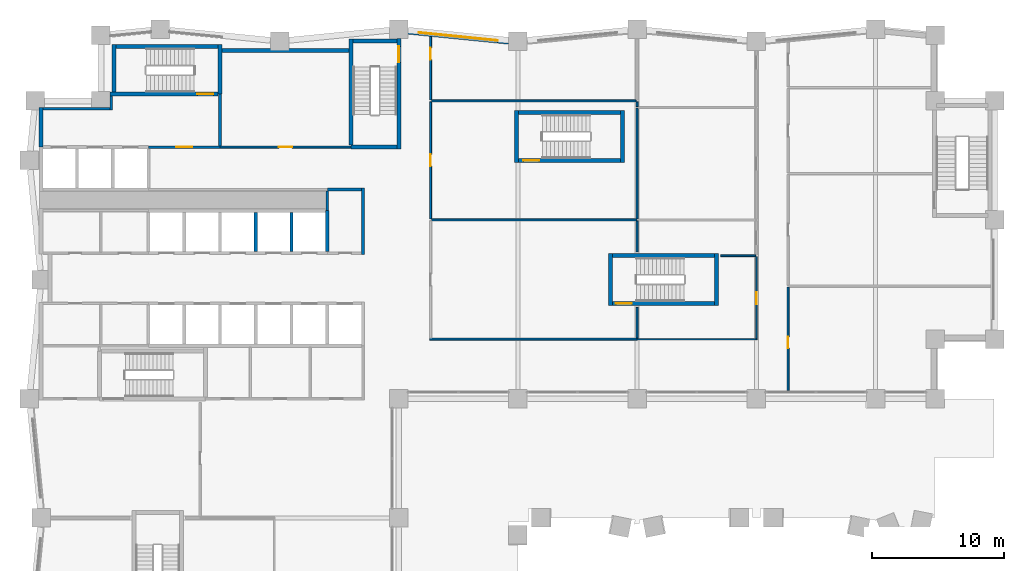
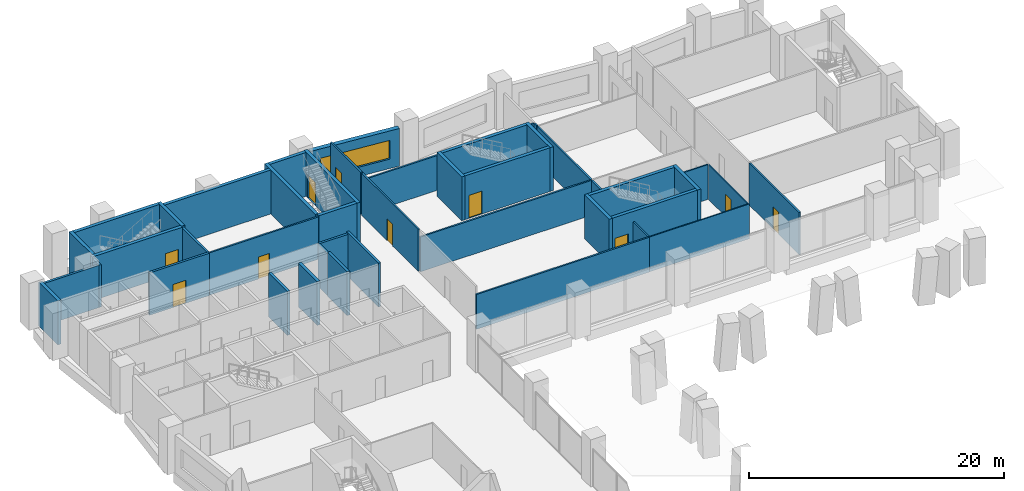
# One storey, part 12 of 18: 43 walls, 10 doors, 1 window, 11 openings.
"""IFC4 building model written with IfcOpenShell, lengths in metres."""

from ifc_helpers import new_model, si_unit, direction, frame, frame_2d, origin, place, context, subcontext, project, spatial, rectangle, extrude, material, layer, layer_set, type_object, element, fill, save


model = new_model("IFC4")

# Units and contexts
model_context = context("Model", 3, precision=1e-05, world=origin(), true_north=direction((0.0, 1.0)))
body_context = subcontext(model_context, "Body", "Model", "MODEL_VIEW")
ifc_project = project(units=[si_unit("LENGTHUNIT", "METRE"), si_unit("AREAUNIT", "SQUARE_METRE"), si_unit("VOLUMEUNIT", "CUBIC_METRE"), si_unit("PLANEANGLEUNIT", "RADIAN"), si_unit("MASSUNIT", "GRAM", prefix="KILO")], contexts=[model_context])

# Site, building, storey
site_placement = place(None, origin())
site = spatial("IfcSite", under=ifc_project, at=site_placement, CompositionType="ELEMENT")
building_placement = place(site_placement, origin())
building = spatial("IfcBuilding", under=site, at=building_placement, Name="Brondeck Convention Tower", CompositionType="ELEMENT")
storey_placement = place(building_placement, frame((0.0, 0.0, 27.5)))
storey = spatial("IfcBuildingStorey", under=building, at=storey_placement, Name="L04", CompositionType="ELEMENT", Elevation=27.5)

# Walls
ifc_material_1 = material(Name="Concrete C80/95", Category="concrete")
ifc_layer_1 = layer(ifc_material_1, 0.199951171875)
ifc_layer_set_1 = layer_set([ifc_layer_1], Name="Core beam-seat wall 200 Concrete C80/95")
wall_type_1 = type_object("IfcWallType", Name="Core beam-seat wall 200 Concrete C80/95", PredefinedType="SHEAR", material=ifc_layer_set_1)
wall_1_placement = place(storey_placement, frame((24.300048828125, 46.89990234375, 0.0), z_axis=(0.0, 0.0, 1.0), x_axis=(0.0, 1.0, 0.0)))
element("IfcWall", 1, at=wall_1_placement, inside=storey, type_object=wall_type_1, Name="L04 core wall", PredefinedType="SHEAR", context=body_context, shape_type="SweptSolid", body=[
    extrude(rectangle(XDim=5.0, YDim=0.199951171875, at=frame_2d((2.5, 0.0))), origin(), (0.0, 0.0, 1.0), 4.199951171875),
])
ifc_layer_2 = layer(ifc_material_1, 0.300048828125)
ifc_layer_set_2 = layer_set([ifc_layer_2], Name="Core outer wall 300 Concrete C80/95")
wall_type_2 = type_object("IfcWallType", Name="Core outer wall 300 Concrete C80/95", PredefinedType="SHEAR", material=ifc_layer_set_2)
wall_2_placement = place(storey_placement, frame((13.64990234375, 62.300048828125, 0.0), z_axis=(0.0, 0.0, 1.0), x_axis=(1.0, 0.0, 0.0)))
element("IfcWall", 2, at=wall_2_placement, inside=storey, type_object=wall_type_2, Name="L04 core wall", PredefinedType="SHEAR", context=body_context, shape_type="SweptSolid", body=[
    extrude(rectangle(XDim=9.60009765625, YDim=0.300048828125, at=frame_2d((4.800048828125, 0.0))), origin(), (0.0, 0.0, 1.0), 4.199951171875),
])
wall_3_placement = place(storey_placement, frame((0.0, 55.0, 0.0), z_axis=(0.0, 0.0, 1.0), x_axis=(0.0, 1.0, 0.0)))
element("IfcWall", 3, at=wall_3_placement, inside=storey, type_object=wall_type_2, Name="L04 core wall", PredefinedType="SHEAR", context=body_context, shape_type="SweptSolid", body=[
    extrude(rectangle(XDim=3.0, YDim=0.300048828125, at=frame_2d((1.5, 0.0))), origin(), (0.0, 0.0, 1.0), 4.199951171875),
])

# Wall, opening, door
ifc_material_2 = material(Name="Fire-rated gypsum board partition")
ifc_layer_3 = layer(ifc_material_2, 0.14990234375)
ifc_layer_set_3 = layer_set([ifc_layer_3], Name="Core partition 150 EI 60")
wall_type_3 = type_object("IfcWallType", Name="Core partition 150 EI 60", PredefinedType="PARTITIONING", material=ifc_layer_set_3)
wall_4_placement = place(storey_placement, frame((13.5, 55.0, 0.0), z_axis=(0.0, 0.0, 1.0), x_axis=(1.0, 0.0, 0.0)))
wall_4 = element("IfcWall", 4, at=wall_4_placement, inside=storey, type_object=wall_type_3, Name="L04 core wall", PredefinedType="PARTITIONING", context=body_context, shape_type="SweptSolid", body=[
    extrude(rectangle(XDim=9.89990234375, YDim=0.14990234375, at=frame_2d((4.949951171875, 0.0))), origin(), (0.0, 0.0, 1.0), 4.050048828125),
])
opening_1_placement = place(wall_4_placement, frame((4.449951171875, 0.0, 0.0)))
opening_1 = element("IfcOpeningElement", 5, at=opening_1_placement, cuts=wall_4, Name="Opening C06-11", PredefinedType="OPENING", context=body_context, shape_type="SweptSolid", body=[
    extrude(rectangle(XDim=1.0, YDim=2.10009765625, at=frame_2d((0.5, 1.050048828125))), frame((0.0, 0.0849609375, 0.0), z_axis=(0.0, -1.0, 0.0), x_axis=(1.0, 0.0, 0.0)), (0.0, 0.0, 1.0), 0.169921875),
])
ifc_material_3 = material(Name="Steel fire door", Category="steel")
door_type_1 = type_object("IfcDoorType", Name="Room door 1000x2100 EI 60", OperationType="NOTDEFINED", PredefinedType="DOOR", material=ifc_material_3)
door_1_placement = place(opening_1_placement, origin())
door_1 = element("IfcDoor", 6, at=door_1_placement, inside=storey, type_object=door_type_1, Name="L04 Room door NE-1", OperationType="SINGLE_SWING_LEFT", OverallHeight=2.10009765625, OverallWidth=1.0, PredefinedType="DOOR", context=body_context, shape_type="SweptSolid", body=[
    extrude(rectangle(XDim=1.0, YDim=2.10009765625, at=frame_2d((0.5, 1.050048828125))), frame((0.0, 0.02490234375, 0.0), z_axis=(0.0, -1.0, 0.0), x_axis=(1.0, 0.0, 0.0)), (0.0, 0.0, 1.0), 0.050048828125),
])
fill(opening_1, door_1)

# Wall, opening, window
ifc_material_4 = material(Name="Limestone", Category="masonry")
ifc_layer_4 = layer(ifc_material_4, 0.10009765625, Name="Limestone facing")
ifc_material_5 = material(Name="Mineral wool")
ifc_layer_5 = layer(ifc_material_5, 0.159912109375, Name="Insulation")
ifc_material_6 = material(Name="Concrete C35/45", Category="concrete")
ifc_layer_6 = layer(ifc_material_6, 0.139892578125, Name="Backing")
ifc_layer_set_4 = layer_set([ifc_layer_4, ifc_layer_5, ifc_layer_6], Name="External wall, limestone cladding")
wall_type_4 = type_object("IfcWallType", Name="External wall, limestone cladding", PredefinedType="SOLIDWALL", material=ifc_layer_set_4)
wall_5_placement = place(storey_placement, frame((27.6865234375, 63.730712890625, 0.0), z_axis=(0.0, 0.0, 1.0), x_axis=(0.995039719416, -0.099478423711, 0.0)))
wall_5 = element("IfcWall", 7, at=wall_5_placement, inside=storey, type_object=wall_type_4, Name="ENV-EW-L04-BASE-A-N-07", PredefinedType="SOLIDWALL", context=body_context, shape_type="SweptSolid", body=[
    extrude(rectangle(XDim=7.644775390625, YDim=0.39990234375, at=frame_2d((3.822265625, 0.0))), origin(), (0.0, 0.0, 1.0), 3.60009765625),
])
opening_2_placement = place(wall_5_placement, frame((0.822509765625, 0.0, 0.89990234375)))
opening_2 = element("IfcOpeningElement", 8, at=opening_2_placement, cuts=wall_5, Name="Opening W4", PredefinedType="OPENING", context=body_context, shape_type="SweptSolid", body=[
    extrude(rectangle(XDim=6.0, YDim=1.800048828125, at=frame_2d((3.0, 0.89990234375))), frame((0.0, 0.2099609375, 0.0), z_axis=(0.0, -1.0, 0.0), x_axis=(1.0, 0.0, 0.0)), (0.0, 0.0, 1.0), 0.419921875),
])
ifc_material_7 = material(Name="Bronze tinted double glazing", Category="glass")
window_type = type_object("IfcWindowType", Name="Podium ribbon window, bronze tinted", PartitioningType="SINGLE_PANEL", PredefinedType="WINDOW", material=ifc_material_7)
window_placement = place(opening_2_placement, origin())
window = element("IfcWindow", 9, at=window_placement, inside=storey, type_object=window_type, Name="ENV-WN-L04-BASE-A-N-07", OverallHeight=1.800048828125, OverallWidth=6.0, PartitioningType="SINGLE_PANEL", PredefinedType="WINDOW", context=body_context, shape_type="SweptSolid", body=[
    extrude(rectangle(XDim=6.0, YDim=1.800048828125, at=frame_2d((3.0, 0.89990234375))), frame((0.0, 0.030029296875, 0.0), z_axis=(0.0, -1.0, 0.0), x_axis=(1.0, 0.0, 0.0)), (0.0, 0.0, 1.0), 0.06005859375),
])
fill(opening_2, window)

# Wall, opening, door
ifc_layer_7 = layer(ifc_material_2, 0.199951171875)
ifc_layer_set_5 = layer_set([ifc_layer_7], Name="Firefighting lobby wall 200 EI 120")
wall_type_5 = type_object("IfcWallType", Name="Firefighting lobby wall 200 EI 120", PredefinedType="PARTITIONING", material=ifc_layer_set_5)
wall_6_placement = place(storey_placement, frame((8.10009765625, 55.0, 0.0), z_axis=(0.0, 0.0, 1.0), x_axis=(1.0, 0.0, 0.0)))
wall_6 = element("IfcWall", 10, at=wall_6_placement, inside=storey, type_object=wall_type_5, Name="L04 core wall", PredefinedType="PARTITIONING", context=body_context, shape_type="SweptSolid", body=[
    extrude(rectangle(XDim=5.39990234375, YDim=0.199951171875, at=frame_2d((2.699951171875, 0.0))), origin(), (0.0, 0.0, 1.0), 4.050048828125),
])
opening_3_placement = place(wall_6_placement, frame((2.10009765625, 0.0, 0.0)))
opening_3 = element("IfcOpeningElement", 11, at=opening_3_placement, cuts=wall_6, Name="Opening C06-01", PredefinedType="OPENING", context=body_context, shape_type="SweptSolid", body=[
    extrude(rectangle(XDim=1.199951171875, YDim=2.199951171875, at=frame_2d((0.60009765625, 1.10009765625))), frame((0.0, 0.10986328125, 0.0), z_axis=(0.0, -1.0, 0.0), x_axis=(1.0, 0.0, 0.0)), (0.0, 0.0, 1.0), 0.219970703125),
])
door_type_2 = type_object("IfcDoorType", Name="Firefighting lobby door 1200x2200 EI 120", OperationType="NOTDEFINED", PredefinedType="DOOR", material=ifc_material_3)
door_2_placement = place(opening_3_placement, origin())
door_2 = element("IfcDoor", 12, at=door_2_placement, inside=storey, type_object=door_type_2, Name="L04 Firefighting lobby door FFL-1", OperationType="SINGLE_SWING_RIGHT", OverallHeight=2.199951171875, OverallWidth=1.199951171875, PredefinedType="DOOR", context=body_context, shape_type="SweptSolid", body=[
    extrude(rectangle(XDim=1.199951171875, YDim=2.199951171875, at=frame_2d((0.60009765625, 1.10009765625))), frame((0.0, 0.02490234375, 0.0), z_axis=(0.0, -1.0, 0.0), x_axis=(1.0, 0.0, 0.0)), (0.0, 0.0, 1.0), 0.050048828125),
])
fill(opening_3, door_2)

# Walls
wall_7_placement = place(storey_placement, frame((0.14990234375, 57.89990234375, 0.0), z_axis=(0.0, 0.0, 1.0), x_axis=(1.0, 0.0, 0.0)))
element("IfcWall", 13, at=wall_7_placement, inside=storey, type_object=wall_type_5, Name="L04 core wall", PredefinedType="PARTITIONING", context=body_context, shape_type="SweptSolid", body=[
    extrude(rectangle(XDim=5.050048828125, YDim=0.199951171875, at=frame_2d((2.52490234375, 0.0))), origin(), (0.0, 0.0, 1.0), 4.050048828125),
])
wall_8_placement = place(storey_placement, frame((5.300048828125, 57.800048828125, 0.0), z_axis=(0.0, 0.0, 1.0), x_axis=(0.0, 1.0, 0.0)))
element("IfcWall", 14, at=wall_8_placement, inside=storey, type_object=wall_type_5, Name="L04 core wall", PredefinedType="PARTITIONING", context=body_context, shape_type="SweptSolid", body=[
    extrude(rectangle(XDim=1.050048828125, YDim=0.199951171875, at=frame_2d((0.52490234375, 0.0))), origin(), (0.0, 0.0, 1.0), 4.050048828125),
])
wall_9_placement = place(storey_placement, frame((13.5, 55.10009765625, 0.0), z_axis=(0.0, 0.0, 1.0), x_axis=(0.0, 1.0, 0.0)))
element("IfcWall", 15, at=wall_9_placement, inside=storey, type_object=wall_type_5, Name="L04 core wall", PredefinedType="PARTITIONING", context=body_context, shape_type="SweptSolid", body=[
    extrude(rectangle(XDim=3.89990234375, YDim=0.199951171875, at=frame_2d((1.949951171875, 0.0))), origin(), (0.0, 0.0, 1.0), 4.050048828125),
])
ifc_material_8 = material(Name="Double gypsum board acoustic wall")
ifc_layer_8 = layer(ifc_material_8, 0.14990234375)
ifc_layer_set_6 = layer_set([ifc_layer_8], Name="Guest room party wall 150")
wall_type_6 = type_object("IfcWallType", Name="Guest room party wall 150", PredefinedType="PARTITIONING", material=ifc_layer_set_6)
wall_10_placement = place(storey_placement, frame((29.324951171875, 40.5, 0.0), z_axis=(0.0, 0.0, 1.0), x_axis=(1.0, 0.0, 0.0)))
element("IfcWall", 16, at=wall_10_placement, inside=storey, type_object=wall_type_6, Name="FLR-L04-W010", PredefinedType="PARTITIONING", context=body_context, shape_type="SweptSolid", body=[
    extrude(rectangle(XDim=15.675048828125, YDim=0.14990234375, at=frame_2d((7.83740234375, 0.0))), origin(), (0.0, 0.0, 1.0), 3.330078125),
])
wall_11_placement = place(storey_placement, frame((45.0, 42.89990234375, 0.0), z_axis=(0.0, 0.0, 1.0), x_axis=(0.0, -1.0, 0.0)))
element("IfcWall", 17, at=wall_11_placement, inside=storey, type_object=wall_type_6, Name="FLR-L04-W013", PredefinedType="PARTITIONING", context=body_context, shape_type="SweptSolid", body=[
    extrude(rectangle(XDim=2.324951171875, YDim=0.14990234375, at=frame_2d((1.16259765625, 0.0))), origin(), (0.0, 0.0, 1.0), 3.330078125),
])

# Wall, opening, door
wall_12_placement = place(storey_placement, frame((56.39990234375, 44.425048828125, 0.0), z_axis=(0.0, 0.0, 1.0), x_axis=(0.0, -1.0, 0.0)))
wall_12 = element("IfcWall", 18, at=wall_12_placement, inside=storey, type_object=wall_type_6, Name="FLR-L04-W014", PredefinedType="PARTITIONING", context=body_context, shape_type="SweptSolid", body=[
    extrude(rectangle(XDim=7.81494140625, YDim=0.14990234375, at=frame_2d((3.907470703125, 0.0))), origin(), (0.0, 0.0, 1.0), 4.030029296875),
])
opening_4_placement = place(wall_12_placement, frame((3.72509765625, 0.0, 0.0)))
opening_4 = element("IfcOpeningElement", 19, at=opening_4_placement, cuts=wall_12, Name="Opening P-L04-008", PredefinedType="OPENING", context=body_context, shape_type="SweptSolid", body=[
    extrude(rectangle(XDim=0.89990234375, YDim=2.10009765625, at=frame_2d((0.449951171875, 1.050048828125))), frame((0.0, 0.0849609375, 0.0), z_axis=(0.0, -1.0, 0.0), x_axis=(1.0, 0.0, 0.0)), (0.0, 0.0, 1.0), 0.169921875),
])
ifc_material_9 = material(Name="Solid timber door leaf", Category="wood")
door_type_3 = type_object("IfcDoorType", Name="Single door 900", OperationType="NOTDEFINED", PredefinedType="DOOR", material=ifc_material_9)
door_3_placement = place(opening_4_placement, origin())
door_3 = element("IfcDoor", 20, at=door_3_placement, inside=storey, type_object=door_type_3, Name="Door P-L04-008", OperationType="SINGLE_SWING_LEFT", OverallHeight=2.10009765625, OverallWidth=0.89990234375, PredefinedType="DOOR", context=body_context, shape_type="SweptSolid", body=[
    extrude(rectangle(XDim=0.89990234375, YDim=2.10009765625, at=frame_2d((0.449951171875, 1.050048828125))), frame((0.0, 0.02490234375, 0.0), z_axis=(0.0, -1.0, 0.0), x_axis=(1.0, 0.0, 0.0)), (0.0, 0.0, 1.0), 0.050048828125),
])
fill(opening_4, door_3)

# Walls
wall_13_placement = place(storey_placement, frame((45.0, 49.425048828125, 0.0), z_axis=(0.0, 0.0, 1.0), x_axis=(0.0, -1.0, 0.0)))
element("IfcWall", 21, at=wall_13_placement, inside=storey, type_object=wall_type_6, Name="FLR-L04-W019", PredefinedType="PARTITIONING", context=body_context, shape_type="SweptSolid", body=[
    extrude(rectangle(XDim=2.324951171875, YDim=0.14990234375, at=frame_2d((1.16259765625, 0.0))), origin(), (0.0, 0.0, 1.0), 3.330078125),
])
wall_14_placement = place(storey_placement, frame((29.47509765625, 49.5, 0.0), z_axis=(0.0, 0.0, 1.0), x_axis=(1.0, 0.0, 0.0)))
element("IfcWall", 22, at=wall_14_placement, inside=storey, type_object=wall_type_6, Name="FLR-L04-W020", PredefinedType="PARTITIONING", context=body_context, shape_type="SweptSolid", body=[
    extrude(rectangle(XDim=15.52490234375, YDim=0.14990234375, at=frame_2d((7.762451171875, 0.0))), origin(), (0.0, 0.0, 1.0), 3.330078125),
])
wall_15_placement = place(storey_placement, frame((45.0, 57.9375, 0.0), z_axis=(0.0, 0.0, 1.0), x_axis=(0.0, -1.0, 0.0)))
element("IfcWall", 23, at=wall_15_placement, inside=storey, type_object=wall_type_6, Name="FLR-L04-W025", PredefinedType="PARTITIONING", context=body_context, shape_type="SweptSolid", body=[
    extrude(rectangle(XDim=8.362548828125, YDim=0.14990234375, at=frame_2d((4.18115234375, 0.0))), origin(), (0.0, 0.0, 1.0), 3.330078125),
])

# Wall, opening, door
wall_16_placement = place(storey_placement, frame((29.39990234375, 58.425048828125, 0.0), z_axis=(0.0, 0.0, 1.0), x_axis=(0.0, -1.0, 0.0)))
wall_16 = element("IfcWall", 24, at=wall_16_placement, inside=storey, type_object=wall_type_6, Name="FLR-L04-W028", PredefinedType="PARTITIONING", context=body_context, shape_type="SweptSolid", body=[
    extrude(rectangle(XDim=8.85009765625, YDim=0.14990234375, at=frame_2d((4.425048828125, 0.0))), origin(), (0.0, 0.0, 1.0), 4.030029296875),
])
opening_5_placement = place(wall_16_placement, frame((3.97509765625, 0.0, 0.0)))
opening_5 = element("IfcOpeningElement", 25, at=opening_5_placement, cuts=wall_16, Name="Opening P-L04-002", PredefinedType="OPENING", context=body_context, shape_type="SweptSolid", body=[
    extrude(rectangle(XDim=0.89990234375, YDim=2.10009765625, at=frame_2d((0.449951171875, 1.050048828125))), frame((0.0, 0.0849609375, 0.0), z_axis=(0.0, -1.0, 0.0), x_axis=(1.0, 0.0, 0.0)), (0.0, 0.0, 1.0), 0.169921875),
])
door_4_placement = place(opening_5_placement, origin())
door_4 = element("IfcDoor", 26, at=door_4_placement, inside=storey, type_object=door_type_3, Name="Door P-L04-002", OperationType="SINGLE_SWING_LEFT", OverallHeight=2.10009765625, OverallWidth=0.89990234375, PredefinedType="DOOR", context=body_context, shape_type="SweptSolid", body=[
    extrude(rectangle(XDim=0.89990234375, YDim=2.10009765625, at=frame_2d((0.449951171875, 1.050048828125))), frame((0.0, 0.02490234375, 0.0), z_axis=(0.0, -1.0, 0.0), x_axis=(1.0, 0.0, 0.0)), (0.0, 0.0, 1.0), 0.050048828125),
])
fill(opening_5, door_4)

# Walls
wall_17_placement = place(storey_placement, frame((45.0, 58.425048828125, 0.0), z_axis=(0.0, 0.0, 1.0), x_axis=(0.0, -1.0, 0.0)))
element("IfcWall", 27, at=wall_17_placement, inside=storey, type_object=wall_type_6, Name="FLR-L04-W029", PredefinedType="PARTITIONING", context=body_context, shape_type="SweptSolid", body=[
    extrude(rectangle(XDim=0.362548828125, YDim=0.14990234375, at=frame_2d((0.18115234375, 0.0))), origin(), (0.0, 0.0, 1.0), 3.330078125),
])
wall_18_placement = place(storey_placement, frame((29.47509765625, 58.5, 0.0), z_axis=(0.0, 0.0, 1.0), x_axis=(1.0, 0.0, 0.0)))
element("IfcWall", 28, at=wall_18_placement, inside=storey, type_object=wall_type_6, Name="FLR-L04-W030", PredefinedType="PARTITIONING", context=body_context, shape_type="SweptSolid", body=[
    extrude(rectangle(XDim=15.449951171875, YDim=0.14990234375, at=frame_2d((7.72509765625, 0.0))), origin(), (0.0, 0.0, 1.0), 3.330078125),
])

# Wall, opening, door
wall_19_placement = place(storey_placement, frame((29.39990234375, 63.33837890625, 0.0), z_axis=(0.0, 0.0, 1.0), x_axis=(0.0, -1.0, 0.0)))
wall_19 = element("IfcWall", 29, at=wall_19_placement, inside=storey, type_object=wall_type_6, Name="FLR-L04-W034", PredefinedType="PARTITIONING", context=body_context, shape_type="SweptSolid", body=[
    extrude(rectangle(XDim=4.763427734375, YDim=0.14990234375, at=frame_2d((2.3818359375, 0.0))), origin(), (0.0, 0.0, 1.0), 4.030029296875),
])
opening_6_placement = place(wall_19_placement, frame((0.83837890625, 0.0, 0.0)))
opening_6 = element("IfcOpeningElement", 30, at=opening_6_placement, cuts=wall_19, Name="Opening P-L04-003", PredefinedType="OPENING", context=body_context, shape_type="SweptSolid", body=[
    extrude(rectangle(XDim=0.89990234375, YDim=2.10009765625, at=frame_2d((0.449951171875, 1.050048828125))), frame((0.0, 0.0849609375, 0.0), z_axis=(0.0, -1.0, 0.0), x_axis=(1.0, 0.0, 0.0)), (0.0, 0.0, 1.0), 0.169921875),
])
door_5_placement = place(opening_6_placement, origin())
door_5 = element("IfcDoor", 31, at=door_5_placement, inside=storey, type_object=door_type_3, Name="Door P-L04-003", OperationType="SINGLE_SWING_RIGHT", OverallHeight=2.10009765625, OverallWidth=0.89990234375, PredefinedType="DOOR", context=body_context, shape_type="SweptSolid", body=[
    extrude(rectangle(XDim=0.89990234375, YDim=2.10009765625, at=frame_2d((0.449951171875, 1.050048828125))), frame((0.0, 0.02490234375, 0.0), z_axis=(0.0, -1.0, 0.0), x_axis=(1.0, 0.0, 0.0)), (0.0, 0.0, 1.0), 0.050048828125),
])
fill(opening_6, door_5)

# Walls
ifc_layer_9 = layer(ifc_material_1, 0.25)
ifc_layer_set_7 = layer_set([ifc_layer_9], Name="Lift shaft wall 250 Concrete C80/95")
wall_type_7 = type_object("IfcWallType", Name="Lift shaft wall 250 Concrete C80/95", PredefinedType="SHEAR", material=ifc_layer_set_7)
for number, where, z_axis, x_axis, name in (
    (32, (16.199951171875, 47.125, 0.0), (0.0, 0.0, 1.0), (0.0, 1.0, 0.0), "L04 core wall"),
    (33, (18.89990234375, 47.125, 0.0), (0.0, 0.0, 1.0), (0.0, 1.0, 0.0), "L04 core wall"),
):
    element("IfcWall", number, at=place(storey_placement, frame(where, z_axis=z_axis, x_axis=x_axis)), inside=storey, type_object=wall_type_7, Name=name, PredefinedType="SHEAR", context=body_context, shape_type="SweptSolid", body=[
        extrude(rectangle(XDim=2.949951171875, YDim=0.25, at=frame_2d((1.47509765625, 0.0))), origin(), (0.0, 0.0, 1.0), 4.199951171875),
    ])
wall_20_placement = place(storey_placement, frame((21.60009765625, 47.125, 0.0), z_axis=(0.0, 0.0, 1.0), x_axis=(0.0, 1.0, 0.0)))
element("IfcWall", 34, at=wall_20_placement, inside=storey, type_object=wall_type_7, Name="L04 core wall", PredefinedType="SHEAR", context=body_context, shape_type="SweptSolid", body=[
    extrude(rectangle(XDim=3.074951171875, YDim=0.25, at=frame_2d((1.53759765625, 0.0))), origin(), (0.0, 0.0, 1.0), 4.199951171875),
])
ifc_material_10 = material(Name="Gypsum board shaft wall on steel studs", Category="steel")
ifc_layer_10 = layer(ifc_material_10, 0.125)
ifc_layer_set_8 = layer_set([ifc_layer_10], Name="Riser wall 125")
wall_type_8 = type_object("IfcWallType", Name="Riser wall 125", PredefinedType="PARTITIONING", material=ifc_layer_set_8)
wall_21_placement = place(storey_placement, frame((51.300048828125, 46.800048828125, 0.0), z_axis=(0.0, 0.0, 1.0), x_axis=(1.0, 0.0, 0.0)))
element("IfcWall", 35, at=wall_21_placement, inside=storey, type_object=wall_type_8, Name="FLR-L04-W016", PredefinedType="PARTITIONING", context=body_context, shape_type="SweptSolid", body=[
    extrude(rectangle(XDim=2.637451171875, YDim=0.125, at=frame_2d((1.31884765625, 0.0))), origin(), (0.0, 0.0, 1.0), 3.330078125),
])
ifc_layer_11 = layer(ifc_material_2, 0.199951171875)
ifc_layer_set_9 = layer_set([ifc_layer_11], Name="Riser wall 200 EI 120")
wall_type_9 = type_object("IfcWallType", Name="Riser wall 200 EI 120", PredefinedType="PARTITIONING", material=ifc_layer_set_9)
wall_22_placement = place(storey_placement, frame((21.60009765625, 51.800048828125, 0.0), z_axis=(0.0, 0.0, 1.0), x_axis=(1.0, 0.0, 0.0)))
element("IfcWall", 36, at=wall_22_placement, inside=storey, type_object=wall_type_9, Name="L04 core wall", PredefinedType="PARTITIONING", context=body_context, shape_type="SweptSolid", body=[
    extrude(rectangle(XDim=2.599853515625, YDim=0.199951171875, at=frame_2d((1.2998046875, 0.0))), origin(), (0.0, 0.0, 1.0), 4.050048828125),
])
wall_23_placement = place(storey_placement, frame((21.60009765625, 50.199951171875, 0.0), z_axis=(0.0, 0.0, 1.0), x_axis=(0.0, 1.0, 0.0)))
element("IfcWall", 37, at=wall_23_placement, inside=storey, type_object=wall_type_9, Name="L04 core wall", PredefinedType="PARTITIONING", context=body_context, shape_type="SweptSolid", body=[
    extrude(rectangle(XDim=1.5, YDim=0.199951171875, at=frame_2d((0.75, 0.0))), origin(), (0.0, 0.0, 1.0), 4.050048828125),
])
ifc_material_11 = material(Name="Gypsum board partition on steel studs", Category="steel")
ifc_layer_12 = layer(ifc_material_11, 0.10009765625)
ifc_layer_set_10 = layer_set([ifc_layer_12], Name="Room partition 100")
wall_type_10 = type_object("IfcWallType", Name="Room partition 100", PredefinedType="PARTITIONING", material=ifc_layer_set_10)
wall_24_placement = place(storey_placement, frame((45.0, 40.5, 0.0), z_axis=(0.0, 0.0, 1.0), x_axis=(1.0, 0.0, 0.0)))
element("IfcWall", 38, at=wall_24_placement, inside=storey, type_object=wall_type_10, Name="FLR-L04-W011", PredefinedType="PARTITIONING", context=body_context, shape_type="SweptSolid", body=[
    extrude(rectangle(XDim=9.050048828125, YDim=0.10009765625, at=frame_2d((4.52490234375, 0.0))), origin(), (0.0, 0.0, 1.0), 3.330078125),
])

# Wall, opening, door
wall_25_placement = place(storey_placement, frame((54.0, 40.550048828125, 0.0), z_axis=(0.0, 0.0, 1.0), x_axis=(0.0, 1.0, 0.0)))
wall_25 = element("IfcWall", 39, at=wall_25_placement, inside=storey, type_object=wall_type_10, Name="FLR-L04-W012", PredefinedType="PARTITIONING", context=body_context, shape_type="SweptSolid", body=[
    extrude(rectangle(XDim=6.1875, YDim=0.10009765625, at=frame_2d((3.09375, 0.0))), origin(), (0.0, 0.0, 1.0), 3.330078125),
])
opening_7_placement = place(wall_25_placement, frame((2.60009765625, 0.0, 0.0)))
opening_7 = element("IfcOpeningElement", 40, at=opening_7_placement, cuts=wall_25, Name="Opening P-L04-004", PredefinedType="OPENING", context=body_context, shape_type="SweptSolid", body=[
    extrude(rectangle(XDim=0.89990234375, YDim=2.10009765625, at=frame_2d((0.449951171875, 1.050048828125))), frame((0.0, 0.06005859375, 0.0), z_axis=(0.0, -1.0, 0.0), x_axis=(1.0, 0.0, 0.0)), (0.0, 0.0, 1.0), 0.1201171875),
])
door_6_placement = place(opening_7_placement, origin())
door_6 = element("IfcDoor", 41, at=door_6_placement, inside=storey, type_object=door_type_3, Name="Door P-L04-004", OperationType="SINGLE_SWING_RIGHT", OverallHeight=2.10009765625, OverallWidth=0.89990234375, PredefinedType="DOOR", context=body_context, shape_type="SweptSolid", body=[
    extrude(rectangle(XDim=0.89990234375, YDim=2.10009765625, at=frame_2d((0.449951171875, 1.050048828125))), frame((0.0, 0.02490234375, 0.0), z_axis=(0.0, -1.0, 0.0), x_axis=(1.0, 0.0, 0.0)), (0.0, 0.0, 1.0), 0.050048828125),
])
fill(opening_7, door_6)

ifc_layer_13 = layer(ifc_material_1, 0.300048828125)
ifc_layer_set_11 = layer_set([ifc_layer_13], Name="Stair enclosure wall 300 Concrete C80/95")
wall_type_11 = type_object("IfcWallType", Name="Stair enclosure wall 300 Concrete C80/95", PredefinedType="SHEAR", material=ifc_layer_set_11)
wall_26_placement = place(storey_placement, frame((43.14990234375, 43.199951171875, 0.0), z_axis=(0.0, 0.0, 1.0), x_axis=(1.0, 0.0, 0.0)))
wall_26 = element("IfcWall", 42, at=wall_26_placement, inside=storey, type_object=wall_type_11, Name="L04 core wall", PredefinedType="SHEAR", context=body_context, shape_type="SweptSolid", body=[
    extrude(rectangle(XDim=7.7001953125, YDim=0.300048828125, at=frame_2d((3.85009765625, 0.0))), origin(), (0.0, 0.0, 1.0), 4.199951171875),
])
opening_8_placement = place(wall_26_placement, frame((0.25, 0.0, 0.0)))
opening_8 = element("IfcOpeningElement", 43, at=opening_8_placement, cuts=wall_26, Name="Opening C06-18", PredefinedType="OPENING", context=body_context, shape_type="SweptSolid", body=[
    extrude(rectangle(XDim=1.199951171875, YDim=2.199951171875, at=frame_2d((0.60009765625, 1.10009765625))), frame((0.0, 0.159912109375, 0.0), z_axis=(0.0, -1.0, 0.0), x_axis=(1.0, 0.0, 0.0)), (0.0, 0.0, 1.0), 0.320068359375),
])
door_type_4 = type_object("IfcDoorType", Name="Stair door 1200x2200 EI 90", OperationType="NOTDEFINED", PredefinedType="DOOR", material=ifc_material_3)
door_7_placement = place(opening_8_placement, origin())
door_7 = element("IfcDoor", 44, at=door_7_placement, inside=storey, type_object=door_type_4, Name="L04 Stair door ST-AF", OperationType="SINGLE_SWING_RIGHT", OverallHeight=2.199951171875, OverallWidth=1.199951171875, PredefinedType="DOOR", context=body_context, shape_type="SweptSolid", body=[
    extrude(rectangle(XDim=1.199951171875, YDim=2.199951171875, at=frame_2d((0.60009765625, 1.10009765625))), frame((0.0, 0.02490234375, 0.0), z_axis=(0.0, -1.0, 0.0), x_axis=(1.0, 0.0, 0.0)), (0.0, 0.0, 1.0), 0.050048828125),
])
fill(opening_8, door_7)

# Wall
wall_27_placement = place(storey_placement, frame((43.14990234375, 46.800048828125, 0.0), z_axis=(0.0, 0.0, 1.0), x_axis=(1.0, 0.0, 0.0)))
element("IfcWall", 45, at=wall_27_placement, inside=storey, type_object=wall_type_11, Name="L04 core wall", PredefinedType="SHEAR", context=body_context, shape_type="SweptSolid", body=[
    extrude(rectangle(XDim=7.7001953125, YDim=0.300048828125, at=frame_2d((3.85009765625, 0.0))), origin(), (0.0, 0.0, 1.0), 4.199951171875),
])

# Wall, opening, door
wall_28_placement = place(storey_placement, frame((36.050048828125, 54.0, 0.0), z_axis=(0.0, 0.0, 1.0), x_axis=(1.0, 0.0, 0.0)))
wall_28 = element("IfcWall", 46, at=wall_28_placement, inside=storey, type_object=wall_type_11, Name="L04 core wall", PredefinedType="SHEAR", context=body_context, shape_type="SweptSolid", body=[
    extrude(rectangle(XDim=7.699951171875, YDim=0.300048828125, at=frame_2d((3.85009765625, 0.0))), origin(), (0.0, 0.0, 1.0), 4.199951171875),
])
opening_9_placement = place(wall_28_placement, frame((0.35009765625, 0.0, 0.0)))
opening_9 = element("IfcOpeningElement", 47, at=opening_9_placement, cuts=wall_28, Name="Opening C06-17", PredefinedType="OPENING", context=body_context, shape_type="SweptSolid", body=[
    extrude(rectangle(XDim=1.199951171875, YDim=2.199951171875, at=frame_2d((0.60009765625, 1.10009765625))), frame((0.0, 0.159912109375, 0.0), z_axis=(0.0, -1.0, 0.0), x_axis=(1.0, 0.0, 0.0)), (0.0, 0.0, 1.0), 0.320068359375),
])
door_8_placement = place(opening_9_placement, origin())
door_8 = element("IfcDoor", 48, at=door_8_placement, inside=storey, type_object=door_type_4, Name="L04 Stair door ST-AE", OperationType="SINGLE_SWING_LEFT", OverallHeight=2.199951171875, OverallWidth=1.199951171875, PredefinedType="DOOR", context=body_context, shape_type="SweptSolid", body=[
    extrude(rectangle(XDim=1.199951171875, YDim=2.199951171875, at=frame_2d((0.60009765625, 1.10009765625))), frame((0.0, 0.02490234375, 0.0), z_axis=(0.0, -1.0, 0.0), x_axis=(1.0, 0.0, 0.0)), (0.0, 0.0, 1.0), 0.050048828125),
])
fill(opening_9, door_8)

# Walls
wall_29_placement = place(storey_placement, frame((23.39990234375, 55.0, 0.0), z_axis=(0.0, 0.0, 1.0), x_axis=(1.0, 0.0, 0.0)))
element("IfcWall", 49, at=wall_29_placement, inside=storey, type_object=wall_type_11, Name="L04 core wall", PredefinedType="SHEAR", context=body_context, shape_type="SweptSolid", body=[
    extrude(rectangle(XDim=3.4501953125, YDim=0.300048828125, at=frame_2d((1.72509765625, 0.0))), origin(), (0.0, 0.0, 1.0), 4.199951171875),
])
wall_30_placement = place(storey_placement, frame((36.050048828125, 57.60009765625, 0.0), z_axis=(0.0, 0.0, 1.0), x_axis=(1.0, 0.0, 0.0)))
element("IfcWall", 50, at=wall_30_placement, inside=storey, type_object=wall_type_11, Name="L04 core wall", PredefinedType="SHEAR", context=body_context, shape_type="SweptSolid", body=[
    extrude(rectangle(XDim=7.699951171875, YDim=0.300048828125, at=frame_2d((3.85009765625, 0.0))), origin(), (0.0, 0.0, 1.0), 4.199951171875),
])

# Wall, opening, door
wall_31_placement = place(storey_placement, frame((5.199951171875, 59.0, 0.0), z_axis=(0.0, 0.0, 1.0), x_axis=(1.0, 0.0, 0.0)))
wall_31 = element("IfcWall", 51, at=wall_31_placement, inside=storey, type_object=wall_type_11, Name="L04 core wall", PredefinedType="SHEAR", context=body_context, shape_type="SweptSolid", body=[
    extrude(rectangle(XDim=8.150146484375, YDim=0.300048828125, at=frame_2d((4.0751953125, 0.0))), origin(), (0.0, 0.0, 1.0), 4.199951171875),
])
opening_10_placement = place(wall_31_placement, frame((6.60009765625, 0.0, 0.0)))
opening_10 = element("IfcOpeningElement", 52, at=opening_10_placement, cuts=wall_31, Name="Opening C06-16", PredefinedType="OPENING", context=body_context, shape_type="SweptSolid", body=[
    extrude(rectangle(XDim=1.199951171875, YDim=2.199951171875, at=frame_2d((0.60009765625, 1.10009765625))), frame((0.0, 0.159912109375, 0.0), z_axis=(0.0, -1.0, 0.0), x_axis=(1.0, 0.0, 0.0)), (0.0, 0.0, 1.0), 0.320068359375),
])
door_type_5 = type_object("IfcDoorType", Name="Stair door 1200x2200 EI 120", OperationType="NOTDEFINED", PredefinedType="DOOR", material=ifc_material_3)
door_9_placement = place(opening_10_placement, origin())
door_9 = element("IfcDoor", 53, at=door_9_placement, inside=storey, type_object=door_type_5, Name="L04 Stair door ST-3", OperationType="SINGLE_SWING_RIGHT", OverallHeight=2.199951171875, OverallWidth=1.199951171875, PredefinedType="DOOR", context=body_context, shape_type="SweptSolid", body=[
    extrude(rectangle(XDim=1.199951171875, YDim=2.199951171875, at=frame_2d((0.60009765625, 1.10009765625))), frame((0.0, 0.02490234375, 0.0), z_axis=(0.0, -1.0, 0.0), x_axis=(1.0, 0.0, 0.0)), (0.0, 0.0, 1.0), 0.050048828125),
])
fill(opening_10, door_9)

# Walls
wall_32_placement = place(storey_placement, frame((5.64990234375, 62.60009765625, 0.0), z_axis=(0.0, 0.0, 1.0), x_axis=(1.0, 0.0, 0.0)))
element("IfcWall", 54, at=wall_32_placement, inside=storey, type_object=wall_type_11, Name="L04 core wall", PredefinedType="SHEAR", context=body_context, shape_type="SweptSolid", body=[
    extrude(rectangle(XDim=7.7001953125, YDim=0.300048828125, at=frame_2d((3.85009765625, 0.0))), origin(), (0.0, 0.0, 1.0), 4.199951171875),
])
wall_33_placement = place(storey_placement, frame((23.550048828125, 63.0, 0.0), z_axis=(0.0, 0.0, 1.0), x_axis=(1.0, 0.0, 0.0)))
element("IfcWall", 55, at=wall_33_placement, inside=storey, type_object=wall_type_11, Name="L04 core wall", PredefinedType="SHEAR", context=body_context, shape_type="SweptSolid", body=[
    extrude(rectangle(XDim=3.300048828125, YDim=0.300048828125, at=frame_2d((1.64990234375, 0.0))), origin(), (0.0, 0.0, 1.0), 4.199951171875),
])
wall_34_placement = place(storey_placement, frame((5.5, 59.14990234375, 0.0), z_axis=(0.0, 0.0, 1.0), x_axis=(0.0, 1.0, 0.0)))
element("IfcWall", 56, at=wall_34_placement, inside=storey, type_object=wall_type_11, Name="L04 core wall", PredefinedType="SHEAR", context=body_context, shape_type="SweptSolid", body=[
    extrude(rectangle(XDim=3.60009765625, YDim=0.300048828125, at=frame_2d((1.800048828125, 0.0))), origin(), (0.0, 0.0, 1.0), 4.199951171875),
])
wall_35_placement = place(storey_placement, frame((13.5, 59.0, 0.0), z_axis=(0.0, 0.0, 1.0), x_axis=(0.0, 1.0, 0.0)))
element("IfcWall", 57, at=wall_35_placement, inside=storey, type_object=wall_type_11, Name="L04 core wall", PredefinedType="SHEAR", context=body_context, shape_type="SweptSolid", body=[
    extrude(rectangle(XDim=3.75, YDim=0.300048828125, at=frame_2d((1.875, 0.0))), origin(), (0.0, 0.0, 1.0), 4.199951171875),
])
wall_36_placement = place(storey_placement, frame((23.39990234375, 55.14990234375, 0.0), z_axis=(0.0, 0.0, 1.0), x_axis=(0.0, 1.0, 0.0)))
element("IfcWall", 58, at=wall_36_placement, inside=storey, type_object=wall_type_11, Name="L04 core wall", PredefinedType="SHEAR", context=body_context, shape_type="SweptSolid", body=[
    extrude(rectangle(XDim=8.0, YDim=0.300048828125, at=frame_2d((4.0, 0.0))), origin(), (0.0, 0.0, 1.0), 4.199951171875),
])

# Wall, opening, door
wall_37_placement = place(storey_placement, frame((27.0, 54.85009765625, 0.0), z_axis=(0.0, 0.0, 1.0), x_axis=(0.0, 1.0, 0.0)))
wall_37 = element("IfcWall", 59, at=wall_37_placement, inside=storey, type_object=wall_type_11, Name="L04 core wall", PredefinedType="SHEAR", context=body_context, shape_type="SweptSolid", body=[
    extrude(rectangle(XDim=8.349853515625, YDim=0.300048828125, at=frame_2d((4.1748046875, 0.0))), origin(), (0.0, 0.0, 1.0), 4.199951171875),
])
opening_11_placement = place(wall_37_placement, frame((6.550048828125, 0.0, 0.0)))
opening_11 = element("IfcOpeningElement", 60, at=opening_11_placement, cuts=wall_37, Name="Opening C06-15", PredefinedType="OPENING", context=body_context, shape_type="SweptSolid", body=[
    extrude(rectangle(XDim=1.199951171875, YDim=2.199951171875, at=frame_2d((0.60009765625, 1.10009765625))), frame((0.0, 0.159912109375, 0.0), z_axis=(0.0, -1.0, 0.0), x_axis=(1.0, 0.0, 0.0)), (0.0, 0.0, 1.0), 0.320068359375),
])
door_10_placement = place(opening_11_placement, origin())
door_10 = element("IfcDoor", 61, at=door_10_placement, inside=storey, type_object=door_type_4, Name="L04 Stair door ST-2", OperationType="SINGLE_SWING_LEFT", OverallHeight=2.199951171875, OverallWidth=1.199951171875, PredefinedType="DOOR", context=body_context, shape_type="SweptSolid", body=[
    extrude(rectangle(XDim=1.199951171875, YDim=2.199951171875, at=frame_2d((0.60009765625, 1.10009765625))), frame((0.0, 0.02490234375, 0.0), z_axis=(0.0, -1.0, 0.0), x_axis=(1.0, 0.0, 0.0)), (0.0, 0.0, 1.0), 0.050048828125),
])
fill(opening_11, door_10)

# Walls
for number, where, z_axis, x_axis, name in (
    (62, (35.89990234375, 53.85009765625, 0.0), (0.0, 0.0, 1.0), (0.0, 1.0, 0.0), "L04 core wall"),
    (63, (43.0, 43.050048828125, 0.0), (0.0, 0.0, 1.0), (0.0, 1.0, 0.0), "L04 core wall"),
    (64, (43.89990234375, 53.85009765625, 0.0), (0.0, 0.0, 1.0), (0.0, 1.0, 0.0), "L04 core wall"),
    (65, (51.0, 43.050048828125, 0.0), (0.0, 0.0, 1.0), (0.0, 1.0, 0.0), "L04 core wall"),
):
    element("IfcWall", number, at=place(storey_placement, frame(where, z_axis=z_axis, x_axis=x_axis)), inside=storey, type_object=wall_type_11, Name=name, PredefinedType="SHEAR", context=body_context, shape_type="SweptSolid", body=[
        extrude(rectangle(XDim=3.89990234375, YDim=0.300048828125, at=frame_2d((1.949951171875, 0.0))), origin(), (0.0, 0.0, 1.0), 4.199951171875),
    ])

save(model, "model.ifc")
